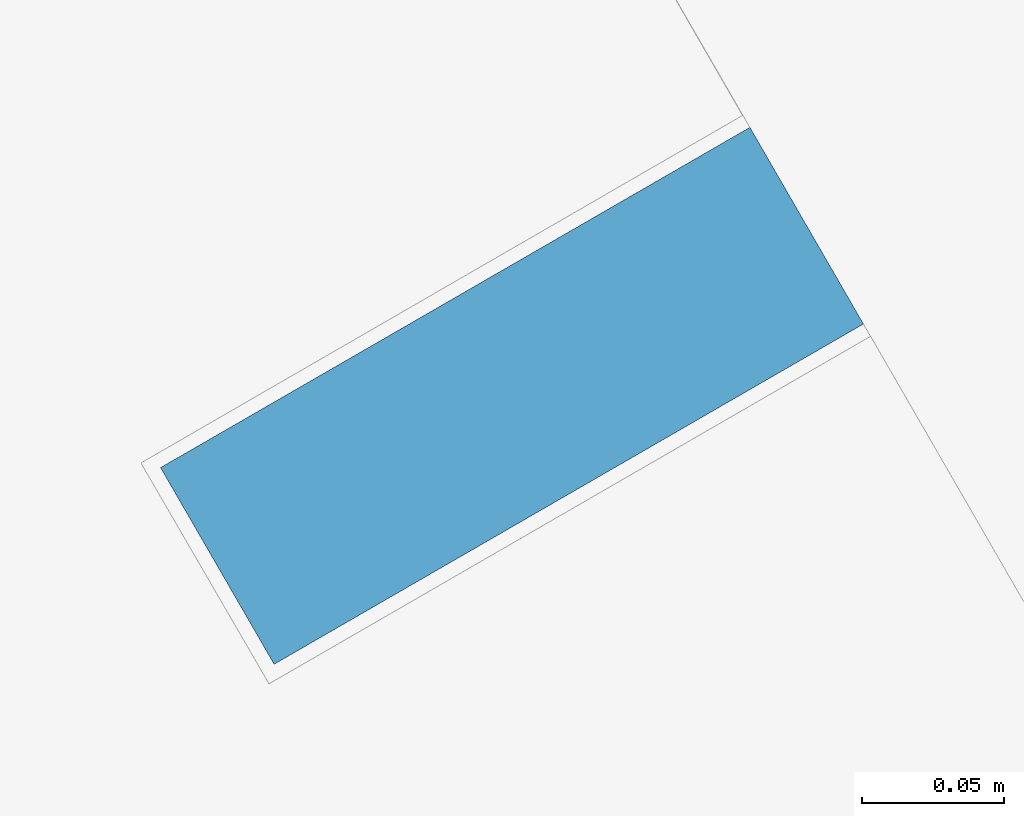
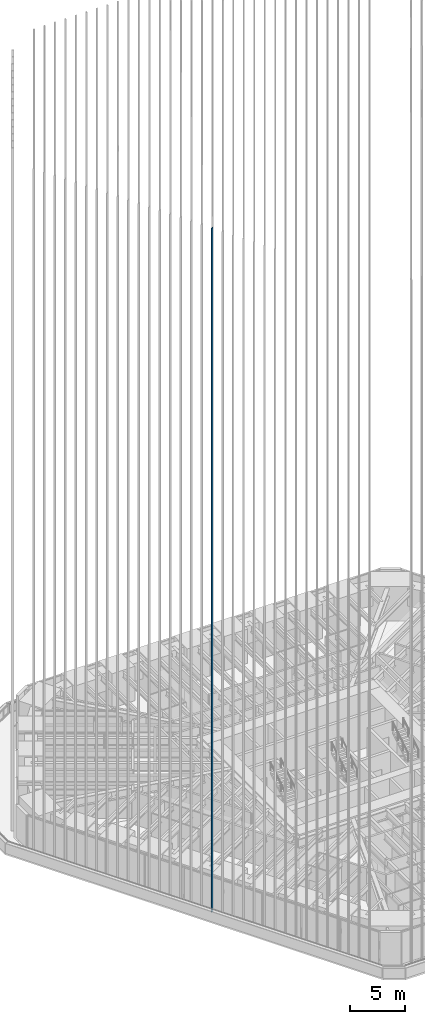
# One storey, part 33 of 238: 1 member, 1 element without a shape of its own.
"""IFC4 building model written with IfcOpenShell, lengths in metres."""

from ifc_helpers import new_model, si_unit, direction, frame, origin, origin_2d, place, context, subcontext, project, spatial, rectangle, extrude, material, material_profile, profile_set, type_object, element, aggregate, save


model = new_model("IFC4")

# Units and contexts
model_context = context("Model", 3, precision=1e-05, world=origin(), true_north=direction((0.0, 1.0)))
body_context = subcontext(model_context, "Body", "Model", "MODEL_VIEW")
ifc_project = project(units=[si_unit("LENGTHUNIT", "METRE"), si_unit("AREAUNIT", "SQUARE_METRE"), si_unit("VOLUMEUNIT", "CUBIC_METRE"), si_unit("PLANEANGLEUNIT", "RADIAN"), si_unit("MASSUNIT", "GRAM", prefix="KILO")], contexts=[model_context])

# Site, building, storey
site_placement = place(None, origin())
site = spatial("IfcSite", under=ifc_project, at=site_placement, CompositionType="ELEMENT")
building_placement = place(site_placement, origin())
building = spatial("IfcBuilding", under=site, at=building_placement, Name="Sandreach Pilgrim Tower", CompositionType="ELEMENT")
storey_placement = place(building_placement, frame((0.0, 0.0, 96.800048828125)))
storey = spatial("IfcBuildingStorey", under=building, at=storey_placement, Name="L23", CompositionType="ELEMENT", Elevation=96.800048828125)

# Curtain wall, member
ifc_material_1 = material(Name="Aluminium framed curtain wall", Category="aluminium")
curtain_wall_type = type_object("IfcCurtainWallType", Name="Hotel tower curtain wall", PredefinedType="NOTDEFINED", material=ifc_material_1)
curtain_wall_placement = place(storey_placement, origin())
curtain_wall = element("IfcCurtainWall", 1, at=curtain_wall_placement, inside=storey, type_object=curtain_wall_type, Name="CW-2 L23 SW", PredefinedType="NOTDEFINED")
ifc_material_2 = material(Name="Extruded terracotta on aluminium core", Category="masonry")
ifc_material_profile = material_profile(ifc_material_2, rectangle(XDim=0.080078125, YDim=0.239990234375, at=origin_2d()), Name="TBW 80X240")
ifc_profile_set = profile_set([ifc_material_profile], Name="Extruded terracotta on aluminium core")
member_type = type_object("IfcMemberType", Name="Terracotta baguette west", PredefinedType="USERDEFINED", material=ifc_profile_set)
member_placement = place(storey_placement, frame((-19.293212890625, -12.41064453125, 0.0), z_axis=(0.0, 0.0, 1.0), x_axis=(-0.5, 0.866025403784, 0.0)))
member = element("IfcMember", 2, at=member_placement, type_object=member_type, Name="Baguette Z2 SW16", ObjectType="BAGUETTE", PredefinedType="USERDEFINED", context=body_context, shape_type="SweptSolid", body=[
    extrude(rectangle(XDim=0.080078125, YDim=0.239990234375, at=origin_2d()), origin(), (0.0, 0.0, 1.0), 75.83984375),
])
aggregate(curtain_wall, [member])

save(model, "model.ifc")
